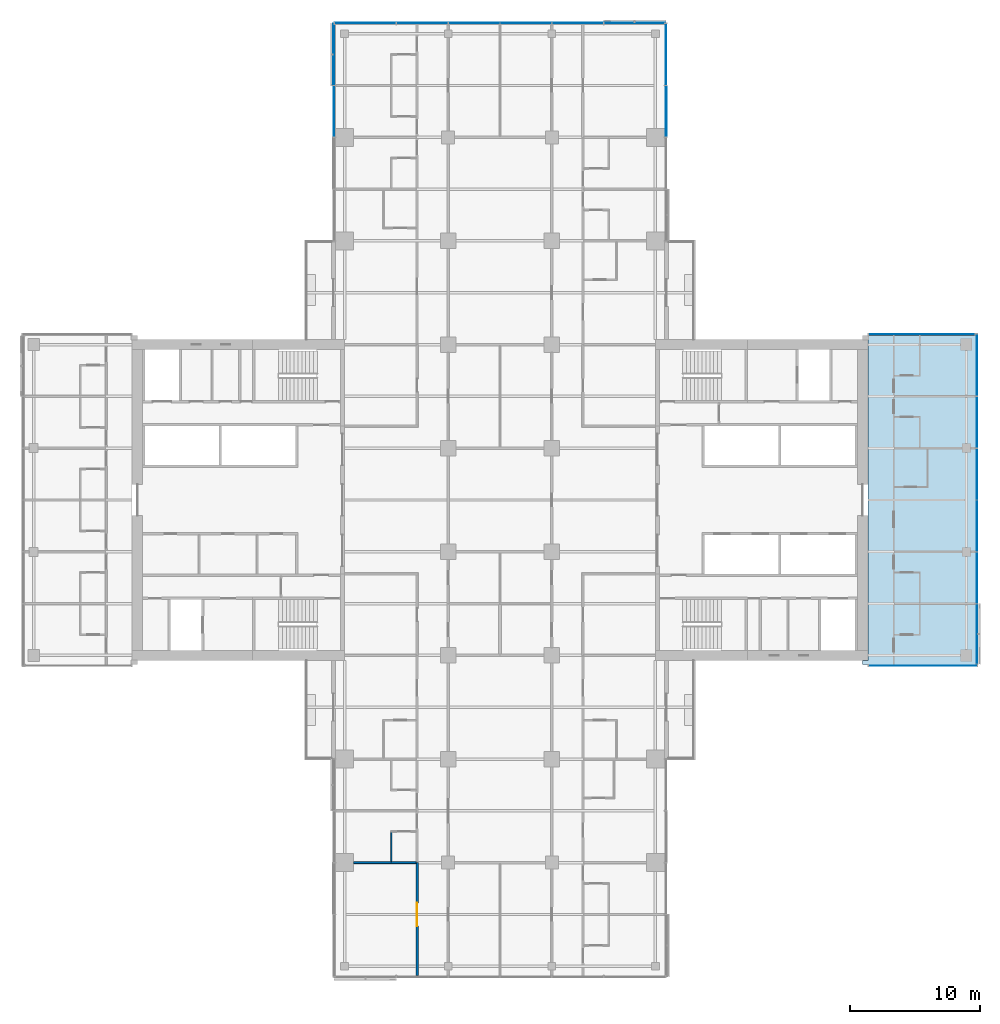
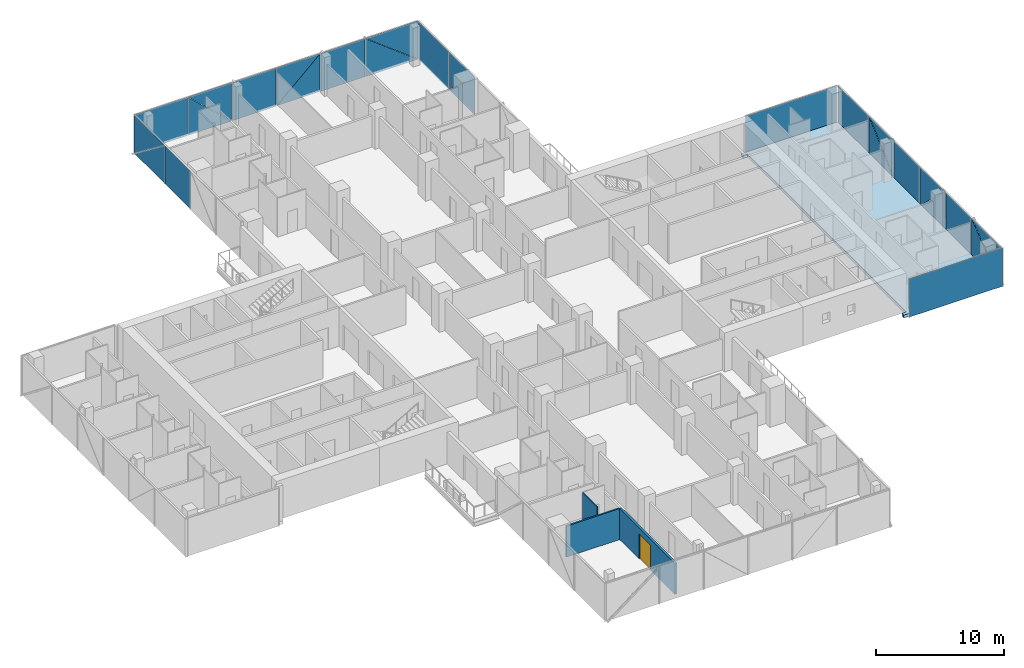
# One storey, part 14 of 27: 26 plates, 3 walls, 1 door, 1 slab, 1 opening, 6 elements without a shape of their own.
"""IFC4 building model written with IfcOpenShell, lengths in metres."""

from ifc_helpers import new_model, si_unit, direction, frame, frame_2d, origin, place, context, subcontext, project, spatial, polyline, rectangle, outline, extrude, material, layer, layer_set, type_object, element, fill, aggregate, save


model = new_model("IFC4")

# Units and contexts
model_context = context("Model", 3, precision=1e-05, world=origin(), true_north=direction((0.0, 1.0)))
body_context = subcontext(model_context, "Body", "Model", "MODEL_VIEW")
ifc_project = project(units=[si_unit("LENGTHUNIT", "METRE"), si_unit("AREAUNIT", "SQUARE_METRE"), si_unit("VOLUMEUNIT", "CUBIC_METRE"), si_unit("PLANEANGLEUNIT", "RADIAN"), si_unit("MASSUNIT", "GRAM", prefix="KILO")], contexts=[model_context])

# Site, building, storey
site_placement = place(None, origin())
site = spatial("IfcSite", under=ifc_project, at=site_placement, CompositionType="ELEMENT")
building_placement = place(site_placement, origin())
building = spatial("IfcBuilding", under=site, at=building_placement, Name="Crosswind Convention Tower", CompositionType="ELEMENT")
storey_placement = place(building_placement, frame((0.0, 0.0, 72.0)))
storey = spatial("IfcBuildingStorey", under=building, at=storey_placement, Name="L12", CompositionType="ELEMENT", Elevation=72.0)

# Slab
ifc_material_1 = material(Name="Concrete C40/50", Category="concrete")
ifc_layer_1 = layer(ifc_material_1, 0.280029296875)
ifc_layer_set_1 = layer_set([ifc_layer_1], Name="Concrete C40/50")
slab_type = type_object("IfcSlabType", Name="Composite floor slab 280", PredefinedType="FLOOR", material=ifc_layer_set_1)
slab_placement = place(storey_placement, frame((0.0, 0.0, -0.280029296875)))
element("IfcSlab", 1, at=slab_placement, inside=storey, type_object=slab_type, Name="Floor slab L12 part 3", PredefinedType="FLOOR", context=body_context, shape_type="SweptSolid", body=[
    extrude(outline(polyline([(153.0, 112.699951171875), (161.0, 112.699951171875), (161.699951171875, 112.699951171875), (161.699951171875, 112.0), (161.699951171875, 88.0), (161.699951171875, 87.300048828125), (161.0, 87.300048828125), (153.0, 87.300048828125), (153.0, 87.60009765625), (153.39990234375, 87.60009765625), (153.39990234375, 112.39990234375), (153.0, 112.39990234375), (153.0, 112.699951171875)])), origin(), (0.0, 0.0, 1.0), 0.280029296875),
])

# Curtain wall, plate
ifc_material_2 = material(Name="Aluminium unitised curtain wall", Category="aluminium")
curtain_wall_type_1 = type_object("IfcCurtainWallType", Name="CORE END SLOT WALL 160", PredefinedType="USERDEFINED", material=ifc_material_2)
curtain_wall_1_placement = place(storey_placement, origin())
curtain_wall_1 = element("IfcCurtainWall", 2, at=curtain_wall_1_placement, inside=storey, type_object=curtain_wall_type_1, Name="CW6 L12 E-N.1-1 slot", ObjectType="UNITISED", PredefinedType="USERDEFINED")
ifc_material_3 = material(Name="Laminated insulating glass unit", Category="glass")
ifc_layer_2 = layer(ifc_material_3, 0.02587890625)
ifc_layer_set_2 = layer_set([ifc_layer_2], Name="TRIANGULAR GLASS PANEL 26")
plate_type_1 = type_object("IfcPlateType", Name="TRIANGULAR GLASS PANEL 26", PredefinedType="CURTAIN_PANEL", material=ifc_layer_set_2)
plate_1_placement = place(storey_placement, frame((161.64990234375, 112.806640625, -0.280029296875), z_axis=(0.0, 0.999999919475, 0.000401310917), x_axis=(-1.0, 0.0, 0.0)))
plate_1 = element("IfcPlate", 3, at=plate_1_placement, type_object=plate_type_1, Name="CW6 panel 1.1", PredefinedType="CURTAIN_PANEL", context=body_context, shape_type="SweptSolid", body=[
    extrude(outline(polyline([(0.0, 0.0), (8.199951171875, 0.0), (8.199951171875, 3.650146778303906), (0.0, 3.650146778303906), (0.0, 0.0)])), origin(), (0.0, 0.0, -1.0), 0.02587890625),
])
aggregate(curtain_wall_1, [plate_1])

curtain_wall_2_placement = place(storey_placement, origin())
curtain_wall_2 = element("IfcCurtainWall", 4, at=curtain_wall_2_placement, inside=storey, type_object=curtain_wall_type_1, Name="CW6 L12 E-S.2-1 slot", ObjectType="UNITISED", PredefinedType="USERDEFINED")
plate_2_placement = place(storey_placement, frame((153.449951171875, 87.193359375, -0.280029296875), z_axis=(0.0, -0.999999919475, 0.000401310917), x_axis=(1.0, 0.0, 0.0)))
plate_2 = element("IfcPlate", 5, at=plate_2_placement, type_object=plate_type_1, Name="CW6 panel 1.1", PredefinedType="CURTAIN_PANEL", context=body_context, shape_type="SweptSolid", body=[
    extrude(outline(polyline([(0.0, 0.0), (8.400146484375, 0.0), (8.400146484375, 3.6501467783039057), (0.0, 3.6501467783039057), (0.0, 0.0)])), origin(), (0.0, 0.0, -1.0), 0.02587890625),
])
aggregate(curtain_wall_2, [plate_2])

# Curtain wall, plates
curtain_wall_type_2 = type_object("IfcCurtainWallType", Name="HOTEL UNITISED WALL 200", PredefinedType="USERDEFINED", material=ifc_material_2)
curtain_wall_3_placement = place(storey_placement, origin())
curtain_wall_3 = element("IfcCurtainWall", 6, at=curtain_wall_3_placement, inside=storey, type_object=curtain_wall_type_2, Name="CW2 L12 E-TIP 1", ObjectType="UNITISED", PredefinedType="USERDEFINED")
ifc_layer_3 = layer(ifc_material_3, 0.028076171875)
ifc_layer_set_3 = layer_set([ifc_layer_3], Name="TRIANGULAR GLASS PANEL 28")
plate_type_2 = type_object("IfcPlateType", Name="TRIANGULAR GLASS PANEL 28", PredefinedType="CURTAIN_PANEL", material=ifc_layer_set_3)
plate_3_placement = place(storey_placement, frame((161.82861328125, 91.967529296875, -0.280029296875), z_axis=(0.999999943217, 0.0, 0.00033699533), x_axis=(-0.00033699533, 0.0, 0.999999943217)))
plate_3 = element("IfcPlate", 7, at=plate_3_placement, type_object=plate_type_2, Name="CW2 panel 1.1", PredefinedType="CURTAIN_PANEL", context=body_context, shape_type="SweptSolid", body=[
    extrude(outline(polyline([(0.0, 0.0), (3.6223146588106325, 0.0), (0.0, 4.58642578125), (0.0, 0.0)])), origin(), (0.0, 0.0, -1.0), 0.028076171875),
])
plate_4_placement = place(storey_placement, frame((161.857177734375, 87.364990234375, 3.35498046875), z_axis=(0.999999918233, 0.0, 0.000404394386), x_axis=(0.000404394386, 0.0, -0.999999918233)))
plate_4 = element("IfcPlate", 8, at=plate_4_placement, type_object=plate_type_2, Name="CW2 panel 1.2", PredefinedType="CURTAIN_PANEL", context=body_context, shape_type="SweptSolid", body=[
    extrude(outline(polyline([(0.0, 0.0), (3.6223147493123067, 0.0), (0.0, 4.58642578125), (0.0, 0.0)])), origin(), (0.0, 0.0, -1.0), 0.028076171875),
])
plate_5_placement = place(storey_placement, frame((161.82861328125, 92.032470703125, -0.280029296875), z_axis=(0.999999943613, 0.0, 0.00033581837), x_axis=(0.0, 1.0, 0.0)))
plate_5 = element("IfcPlate", 9, at=plate_5_placement, type_object=plate_type_2, Name="CW2 panel 2.1", PredefinedType="CURTAIN_PANEL", context=body_context, shape_type="SweptSolid", body=[
    extrude(outline(polyline([(0.0, 0.0), (3.93505859375, 0.0), (3.93505859375, 3.635009970592273), (0.0, 3.635009970592273), (0.0, 0.0)])), origin(), (0.0, 0.0, -1.0), 0.028076171875),
])
plate_6_placement = place(storey_placement, frame((161.827392578125, 99.967529296875, 3.35498046875), z_axis=(0.999999943186, 0.0, 0.000337086208), x_axis=(0.0, -1.0, 0.0)))
plate_6 = element("IfcPlate", 10, at=plate_6_placement, type_object=plate_type_2, Name="CW2 panel 3.1", PredefinedType="CURTAIN_PANEL", context=body_context, shape_type="SweptSolid", body=[
    extrude(outline(polyline([(0.0, 0.0), (3.92041015625, 0.0), (0.0, 3.6213380963660997), (0.0, 0.0)])), origin(), (0.0, 0.0, -1.0), 0.028076171875),
])
plate_7_placement = place(storey_placement, frame((161.858642578125, 96.032470703125, -0.280029296875), z_axis=(0.999999918188, 0.0, 0.000404503439), x_axis=(0.0, 1.0, 0.0)))
plate_7 = element("IfcPlate", 11, at=plate_7_placement, type_object=plate_type_2, Name="CW2 panel 3.2", PredefinedType="CURTAIN_PANEL", context=body_context, shape_type="SweptSolid", body=[
    extrude(outline(polyline([(0.0, 0.0), (3.92041015625, 0.0), (0.0, 3.6213381868921792), (0.0, 0.0)])), origin(), (0.0, 0.0, -1.0), 0.028076171875),
])
plate_8_placement = place(storey_placement, frame((161.82861328125, 100.032470703125, -0.280029296875), z_axis=(0.999999943613, 0.0, 0.00033581837), x_axis=(0.0, 1.0, 0.0)))
plate_8 = element("IfcPlate", 12, at=plate_8_placement, type_object=plate_type_2, Name="CW2 panel 4.1", PredefinedType="CURTAIN_PANEL", context=body_context, shape_type="SweptSolid", body=[
    extrude(outline(polyline([(0.0, 0.0), (3.93505859375, 0.0), (3.93505859375, 3.635009970592273), (0.0, 3.635009970592273), (0.0, 0.0)])), origin(), (0.0, 0.0, -1.0), 0.028076171875),
])
plate_9_placement = place(storey_placement, frame((161.82861328125, 107.967529296875, -0.280029296875), z_axis=(0.999999943186, 0.0, 0.000337086208), x_axis=(-0.000337086208, 0.0, 0.999999943186)))
plate_9 = element("IfcPlate", 13, at=plate_9_placement, type_object=plate_type_2, Name="CW2 panel 5.1", PredefinedType="CURTAIN_PANEL", context=body_context, shape_type="SweptSolid", body=[
    extrude(outline(polyline([(0.0, 0.0), (3.6213380963660997, 0.0), (0.0, 3.920410156250001), (0.0, 0.0)])), origin(), (0.0, 0.0, -1.0), 0.028076171875),
])
plate_10_placement = place(storey_placement, frame((161.857177734375, 104.032470703125, 3.35498046875), z_axis=(0.999999918188, 0.0, 0.000404503439), x_axis=(0.000404503439, 0.0, -0.999999918188)))
plate_10 = element("IfcPlate", 14, at=plate_10_placement, type_object=plate_type_2, Name="CW2 panel 5.2", PredefinedType="CURTAIN_PANEL", context=body_context, shape_type="SweptSolid", body=[
    extrude(outline(polyline([(0.0, 0.0), (3.6213381868921797, 0.0), (0.0, 3.92041015625), (0.0, 0.0)])), origin(), (0.0, 0.0, -1.0), 0.028076171875),
])
plate_11_placement = place(storey_placement, frame((161.82861328125, 108.032470703125, -0.280029296875), z_axis=(0.999999943613, 0.0, 0.00033581837), x_axis=(0.0, 1.0, 0.0)))
plate_11 = element("IfcPlate", 15, at=plate_11_placement, type_object=plate_type_2, Name="CW2 panel 6.1", PredefinedType="CURTAIN_PANEL", context=body_context, shape_type="SweptSolid", body=[
    extrude(outline(polyline([(0.0, 0.0), (4.762451171875, 0.0), (4.762451171875, 3.635009970592273), (0.0, 3.635009970592273), (0.0, 0.0)])), origin(), (0.0, 0.0, -1.0), 0.028076171875),
])
aggregate(curtain_wall_3, [plate_3, plate_4, plate_5, plate_6, plate_7, plate_8, plate_9, plate_10, plate_11])

curtain_wall_4_placement = place(storey_placement, origin())
curtain_wall_4 = element("IfcCurtainWall", 16, at=curtain_wall_4_placement, inside=storey, type_object=curtain_wall_type_2, Name="CW2 L12 N-E 1", ObjectType="UNITISED", PredefinedType="USERDEFINED")
plate_12_placement = place(storey_placement, frame((137.827392578125, 131.967529296875, 3.35498046875), z_axis=(0.999999943186, 0.0, 0.000337086208), x_axis=(0.0, -1.0, 0.0)))
plate_12 = element("IfcPlate", 17, at=plate_12_placement, type_object=plate_type_2, Name="CW2 panel 3.1", PredefinedType="CURTAIN_PANEL", context=body_context, shape_type="SweptSolid", body=[
    extrude(outline(polyline([(0.0, 0.0), (3.92041015625, 0.0), (0.0, 3.6213380963660997), (0.0, 0.0)])), origin(), (0.0, 0.0, -1.0), 0.028076171875),
])
plate_13_placement = place(storey_placement, frame((137.858642578125, 128.032470703125, -0.280029296875), z_axis=(0.999999918188, 0.0, 0.000404503439), x_axis=(0.0, 1.0, 0.0)))
plate_13 = element("IfcPlate", 18, at=plate_13_placement, type_object=plate_type_2, Name="CW2 panel 3.2", PredefinedType="CURTAIN_PANEL", context=body_context, shape_type="SweptSolid", body=[
    extrude(outline(polyline([(0.0, 0.0), (3.92041015625, 0.0), (0.0, 3.6213381868921792), (0.0, 0.0)])), origin(), (0.0, 0.0, -1.0), 0.028076171875),
])
plate_14_placement = place(storey_placement, frame((137.82861328125, 132.032470703125, -0.280029296875), z_axis=(0.999999943613, 0.0, 0.00033581837), x_axis=(0.0, 1.0, 0.0)))
plate_14 = element("IfcPlate", 19, at=plate_14_placement, type_object=plate_type_2, Name="CW2 panel 4.1", PredefinedType="CURTAIN_PANEL", context=body_context, shape_type="SweptSolid", body=[
    extrude(outline(polyline([(0.0, 0.0), (4.735107421875, 0.0), (4.735107421875, 3.6350099705922725), (0.0, 3.6350099705922725), (0.0, 0.0)])), origin(), (0.0, 0.0, -1.0), 0.028076171875),
])
aggregate(curtain_wall_4, [plate_12, plate_13, plate_14])

curtain_wall_5_placement = place(storey_placement, origin())
curtain_wall_5 = element("IfcCurtainWall", 20, at=curtain_wall_5_placement, inside=storey, type_object=curtain_wall_type_2, Name="CW2 L12 N-TIP 1", ObjectType="UNITISED", PredefinedType="USERDEFINED")
plate_15_placement = place(storey_placement, frame((133.032470703125, 136.82861328125, -0.280029296875), z_axis=(0.0, 0.999999943217, 0.00033699533), x_axis=(0.0, -0.00033699533, 0.999999943217)))
plate_15 = element("IfcPlate", 21, at=plate_15_placement, type_object=plate_type_2, Name="CW2 panel 1.1", PredefinedType="CURTAIN_PANEL", context=body_context, shape_type="SweptSolid", body=[
    extrude(outline(polyline([(0.0, 0.0), (3.6223146588106325, 0.0), (0.0, 4.718505859374999), (0.0, 0.0)])), origin(), (0.0, 0.0, -1.0), 0.028076171875),
])
plate_16_placement = place(storey_placement, frame((137.767578125, 136.857177734375, 3.35498046875), z_axis=(0.0, 0.999999918233, 0.000404394386), x_axis=(0.0, 0.000404394386, -0.999999918233)))
plate_16 = element("IfcPlate", 22, at=plate_16_placement, type_object=plate_type_2, Name="CW2 panel 1.2", PredefinedType="CURTAIN_PANEL", context=body_context, shape_type="SweptSolid", body=[
    extrude(outline(polyline([(0.0, 0.0), (3.6223147493123067, 0.0), (0.0, 4.71875), (0.0, 0.0)])), origin(), (0.0, 0.0, -1.0), 0.028076171875),
])
plate_17_placement = place(storey_placement, frame((132.967529296875, 136.82861328125, -0.280029296875), z_axis=(0.0, 0.999999943613, 0.00033581837), x_axis=(-1.0, 0.0, 0.0)))
plate_17 = element("IfcPlate", 23, at=plate_17_placement, type_object=plate_type_2, Name="CW2 panel 2.1", PredefinedType="CURTAIN_PANEL", context=body_context, shape_type="SweptSolid", body=[
    extrude(outline(polyline([(0.0, 0.0), (3.93505859375, 0.0), (3.93505859375, 3.635009970592273), (0.0, 3.635009970592273), (0.0, 0.0)])), origin(), (0.0, 0.0, -1.0), 0.028076171875),
])
plate_18_placement = place(storey_placement, frame((125.032470703125, 136.827392578125, 3.35498046875), z_axis=(0.0, 0.999999943186, 0.000337086208), x_axis=(1.0, 0.0, 0.0)))
plate_18 = element("IfcPlate", 24, at=plate_18_placement, type_object=plate_type_2, Name="CW2 panel 3.1", PredefinedType="CURTAIN_PANEL", context=body_context, shape_type="SweptSolid", body=[
    extrude(outline(polyline([(0.0, 0.0), (3.92041015625, 0.0), (0.0, 3.6213380963660997), (0.0, 0.0)])), origin(), (0.0, 0.0, -1.0), 0.028076171875),
])
plate_19_placement = place(storey_placement, frame((128.967529296875, 136.858642578125, -0.280029296875), z_axis=(0.0, 0.999999918188, 0.000404503439), x_axis=(-1.0, 0.0, 0.0)))
plate_19 = element("IfcPlate", 25, at=plate_19_placement, type_object=plate_type_2, Name="CW2 panel 3.2", PredefinedType="CURTAIN_PANEL", context=body_context, shape_type="SweptSolid", body=[
    extrude(outline(polyline([(0.0, 0.0), (3.92041015625, 0.0), (0.0, 3.6213381868921792), (0.0, 0.0)])), origin(), (0.0, 0.0, -1.0), 0.028076171875),
])
plate_20_placement = place(storey_placement, frame((124.967529296875, 136.82861328125, -0.280029296875), z_axis=(0.0, 0.999999943613, 0.00033581837), x_axis=(-1.0, 0.0, 0.0)))
plate_20 = element("IfcPlate", 26, at=plate_20_placement, type_object=plate_type_2, Name="CW2 panel 4.1", PredefinedType="CURTAIN_PANEL", context=body_context, shape_type="SweptSolid", body=[
    extrude(outline(polyline([(0.0, 0.0), (3.93505859375, 0.0), (3.93505859375, 3.635009970592273), (0.0, 3.635009970592273), (0.0, 0.0)])), origin(), (0.0, 0.0, -1.0), 0.028076171875),
])
plate_21_placement = place(storey_placement, frame((117.032470703125, 136.82861328125, -0.280029296875), z_axis=(0.0, 0.999999943186, 0.000337086208), x_axis=(0.0, -0.000337086208, 0.999999943186)))
plate_21 = element("IfcPlate", 27, at=plate_21_placement, type_object=plate_type_2, Name="CW2 panel 5.1", PredefinedType="CURTAIN_PANEL", context=body_context, shape_type="SweptSolid", body=[
    extrude(outline(polyline([(0.0, 0.0), (3.6213380963660997, 0.0), (0.0, 3.920410156250001), (0.0, 0.0)])), origin(), (0.0, 0.0, -1.0), 0.028076171875),
])
plate_22_placement = place(storey_placement, frame((120.967529296875, 136.857177734375, 3.35498046875), z_axis=(0.0, 0.999999918188, 0.000404503439), x_axis=(0.0, 0.000404503439, -0.999999918188)))
plate_22 = element("IfcPlate", 28, at=plate_22_placement, type_object=plate_type_2, Name="CW2 panel 5.2", PredefinedType="CURTAIN_PANEL", context=body_context, shape_type="SweptSolid", body=[
    extrude(outline(polyline([(0.0, 0.0), (3.6213381868921797, 0.0), (0.0, 3.92041015625), (0.0, 0.0)])), origin(), (0.0, 0.0, -1.0), 0.028076171875),
])
plate_23_placement = place(storey_placement, frame((116.967529296875, 136.82861328125, -0.280029296875), z_axis=(0.0, 0.999999943613, 0.00033581837), x_axis=(-1.0, 0.0, 0.0)))
plate_23 = element("IfcPlate", 29, at=plate_23_placement, type_object=plate_type_2, Name="CW2 panel 6.1", PredefinedType="CURTAIN_PANEL", context=body_context, shape_type="SweptSolid", body=[
    extrude(outline(polyline([(0.0, 0.0), (4.735107421875, 0.0), (4.735107421875, 3.6350099705922725), (0.0, 3.6350099705922725), (0.0, 0.0)])), origin(), (0.0, 0.0, -1.0), 0.028076171875),
])
aggregate(curtain_wall_5, [plate_15, plate_16, plate_17, plate_18, plate_19, plate_20, plate_21, plate_22, plate_23])

curtain_wall_6_placement = place(storey_placement, origin())
curtain_wall_6 = element("IfcCurtainWall", 30, at=curtain_wall_6_placement, inside=storey, type_object=curtain_wall_type_2, Name="CW2 L12 N-W 1", ObjectType="UNITISED", PredefinedType="USERDEFINED")
plate_24_placement = place(storey_placement, frame((112.17138671875, 132.032470703125, -0.280029296875), z_axis=(-0.999999943217, 0.0, 0.00033699533), x_axis=(0.00033699533, 0.0, 0.999999943217)))
plate_24 = element("IfcPlate", 31, at=plate_24_placement, type_object=plate_type_2, Name="CW2 panel 1.1", PredefinedType="CURTAIN_PANEL", context=body_context, shape_type="SweptSolid", body=[
    extrude(outline(polyline([(0.0, 0.0), (3.6223146588106325, 0.0), (0.0, 4.718505859374999), (0.0, 0.0)])), origin(), (0.0, 0.0, -1.0), 0.028076171875),
])
plate_25_placement = place(storey_placement, frame((112.142822265625, 136.767578125, 3.35498046875), z_axis=(-0.999999918233, 0.0, 0.000404394386), x_axis=(-0.000404394386, 0.0, -0.999999918233)))
plate_25 = element("IfcPlate", 32, at=plate_25_placement, type_object=plate_type_2, Name="CW2 panel 1.2", PredefinedType="CURTAIN_PANEL", context=body_context, shape_type="SweptSolid", body=[
    extrude(outline(polyline([(0.0, 0.0), (3.6223147493123067, 0.0), (0.0, 4.71875), (0.0, 0.0)])), origin(), (0.0, 0.0, -1.0), 0.028076171875),
])
plate_26_placement = place(storey_placement, frame((112.17138671875, 131.967529296875, -0.280029296875), z_axis=(-0.999999943613, 0.0, 0.00033581837), x_axis=(0.0, -1.0, 0.0)))
plate_26 = element("IfcPlate", 33, at=plate_26_placement, type_object=plate_type_2, Name="CW2 panel 2.1", PredefinedType="CURTAIN_PANEL", context=body_context, shape_type="SweptSolid", body=[
    extrude(outline(polyline([(0.0, 0.0), (3.93505859375, 0.0), (3.93505859375, 3.635009970592273), (0.0, 3.635009970592273), (0.0, 0.0)])), origin(), (0.0, 0.0, -1.0), 0.028076171875),
])
aggregate(curtain_wall_6, [plate_24, plate_25, plate_26])

# Wall
ifc_material_4 = material(Name="Acoustic plasterboard partition", Category="gypsum")
ifc_layer_4 = layer(ifc_material_4, 0.14990234375)
ifc_layer_set_4 = layer_set([ifc_layer_4], Name="GUEST ROOM WALL 150")
wall_type_1 = type_object("IfcWallType", Name="GUEST ROOM WALL 150", PredefinedType="PARTITIONING", material=ifc_layer_set_4)
wall_1_placement = place(storey_placement, frame((113.699951171875, 72.0, 0.0), z_axis=(0.0, 0.0, 1.0), x_axis=(1.0, 0.0, 0.0)))
element("IfcWall", 34, at=wall_1_placement, inside=storey, type_object=wall_type_1, Name="Guest Room Wall 4", PredefinedType="PARTITIONING", context=body_context, shape_type="SweptSolid", body=[
    extrude(rectangle(XDim=4.824951171875, YDim=0.14990234375, at=frame_2d((2.41259765625, 0.0))), origin(), (0.0, 0.0, 1.0), 2.959716796875),
])

# Wall, opening, door
ifc_material_5 = material(Name="Double plasterboard partition", Category="gypsum")
ifc_layer_5 = layer(ifc_material_5, 0.199951171875)
ifc_layer_set_5 = layer_set([ifc_layer_5], Name="HALL WALL 200")
wall_type_2 = type_object("IfcWallType", Name="HALL WALL 200", PredefinedType="PARTITIONING", material=ifc_layer_set_5)
wall_2_placement = place(storey_placement, frame((118.60009765625, 63.300048828125, 0.0), z_axis=(0.0, 0.0, 1.0), x_axis=(0.0, 1.0, 0.0)))
wall_2 = element("IfcWall", 35, at=wall_2_placement, inside=storey, type_object=wall_type_2, Name="Hall Wall 82", PredefinedType="PARTITIONING", context=body_context, shape_type="SweptSolid", body=[
    extrude(rectangle(XDim=8.699951171875, YDim=0.199951171875, at=frame_2d((4.35009765625, 0.0))), origin(), (0.0, 0.0, 1.0), 2.959716796875),
])
opening_placement = place(wall_2_placement, frame((3.800048828125, 0.0, 0.0)))
opening = element("IfcOpeningElement", 36, at=opening_placement, cuts=wall_2, Name="Opening 12.034", PredefinedType="OPENING", context=body_context, shape_type="SweptSolid", body=[
    extrude(rectangle(XDim=1.800048828125, YDim=2.39990234375, at=frame_2d((0.89990234375, 1.199951171875))), frame((0.0, 0.10986328125, 0.0), z_axis=(0.0, -1.0, 0.0), x_axis=(1.0, 0.0, 0.0)), (0.0, 0.0, 1.0), 0.219970703125),
])
ifc_material_6 = material(Name="Timber fire door", Category="wood")
door_type = type_object("IfcDoorType", Name="HALL DOUBLE DOOR 1800X2400", OperationType="DOUBLE_DOOR_SINGLE_SWING", PredefinedType="DOOR", material=ifc_material_6)
door_placement = place(opening_placement, frame((1.800048828125, 0.0, 0.0), z_axis=(0.0, 0.0, 1.0), x_axis=(-1.0, 0.0, 0.0)))
door = element("IfcDoor", 37, at=door_placement, inside=storey, type_object=door_type, Name="Door 12.034", ObjectType="D5", OperationType="DOUBLE_DOOR_SINGLE_SWING", OverallHeight=2.39990234375, OverallWidth=1.800048828125, PredefinedType="DOOR", context=body_context, shape_type="SweptSolid", body=[
    extrude(rectangle(XDim=1.800048828125, YDim=2.39990234375, at=frame_2d((0.89990234375, 1.199951171875))), frame((0.0, 0.02490234375, 0.0), z_axis=(0.0, -1.0, 0.0), x_axis=(1.0, 0.0, 0.0)), (0.0, 0.0, 1.0), 0.050048828125),
])
fill(opening, door)

# Wall
ifc_material_7 = material(Name="Water-resistant plasterboard partition", Category="gypsum")
ifc_layer_6 = layer(ifc_material_7, 0.10009765625)
ifc_layer_set_6 = layer_set([ifc_layer_6], Name="WET ROOM PARTITION 100")
wall_type_3 = type_object("IfcWallType", Name="WET ROOM PARTITION 100", PredefinedType="PLUMBINGWALL", material=ifc_layer_set_6)
wall_3_placement = place(storey_placement, frame((116.60009765625, 72.074951171875, 0.0), z_axis=(0.0, 0.0, 1.0), x_axis=(0.0, 1.0, 0.0)))
element("IfcWall", 38, at=wall_3_placement, inside=storey, type_object=wall_type_3, Name="Wet Room Partition 77", PredefinedType="PLUMBINGWALL", context=body_context, shape_type="SweptSolid", body=[
    extrude(rectangle(XDim=2.275146484375, YDim=0.10009765625, at=frame_2d((1.1376953125, 0.0))), origin(), (0.0, 0.0, 1.0), 3.699951171875),
])

save(model, "model.ifc")
